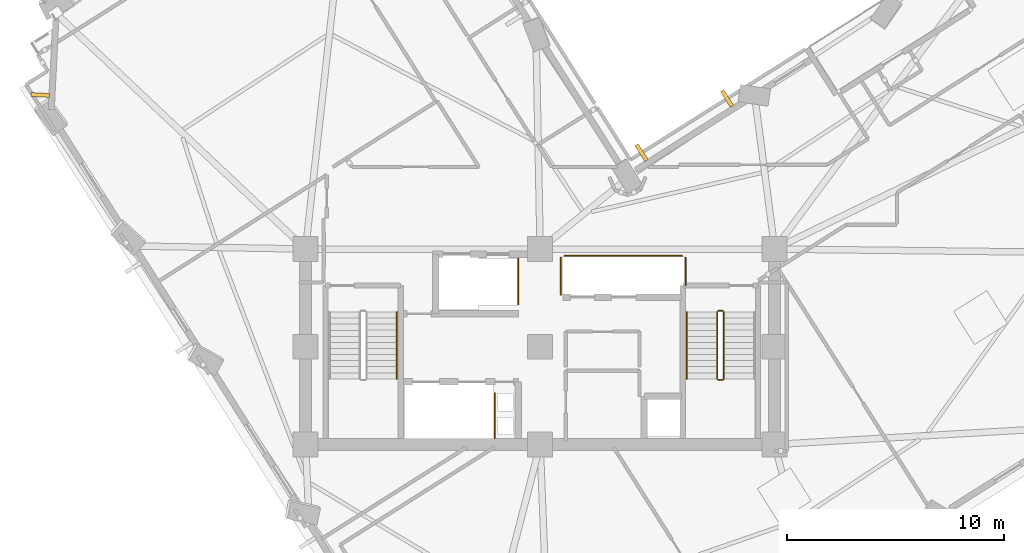
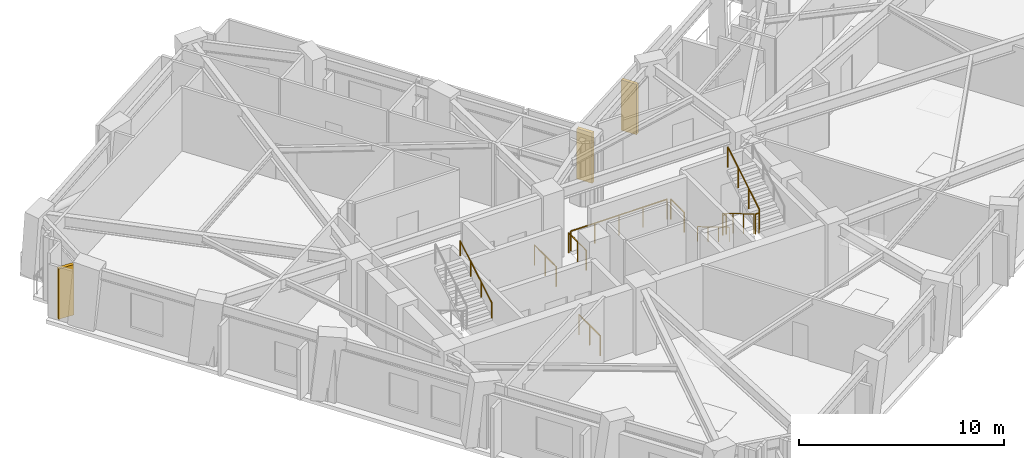
# One storey, part 11 of 14: 11 railings, 3 shading devices.
"""IFC4 building model written with IfcOpenShell, lengths in metres."""

from ifc_helpers import new_model, si_unit, direction, frame, origin, origin_2d, place, context, subcontext, project, spatial, rectangle, circle, extrude, material, type_object, element, save


model = new_model("IFC4")

# Units and contexts
model_context = context("Model", 3, precision=1e-05, world=origin(), true_north=direction((0.0, 1.0)))
body_context = subcontext(model_context, "Body", "Model", "MODEL_VIEW")
ifc_project = project(units=[si_unit("LENGTHUNIT", "METRE"), si_unit("AREAUNIT", "SQUARE_METRE"), si_unit("VOLUMEUNIT", "CUBIC_METRE"), si_unit("PLANEANGLEUNIT", "RADIAN"), si_unit("MASSUNIT", "GRAM", prefix="KILO")], contexts=[model_context])

# Site, building, storey
site_placement = place(None, origin())
site = spatial("IfcSite", under=ifc_project, at=site_placement, CompositionType="ELEMENT")
building_placement = place(site_placement, origin())
building = spatial("IfcBuilding", under=site, at=building_placement, Name="Gaonmaruhae Medical Tower", CompositionType="ELEMENT")
storey_placement = place(building_placement, frame((0.0, 0.0, 161.800048828125)))
storey = spatial("IfcBuildingStorey", under=building, at=storey_placement, Name="L38", CompositionType="ELEMENT", Elevation=161.800048828125)

# Railings
ifc_material_1 = material(Name="Stainless steel 304 handrail", Category="steel")
railing_type_1 = type_object("IfcRailingType", Name="HR-092 Continuous Stainless Steel Stair Handrail", PredefinedType="HANDRAIL", material=ifc_material_1)
railing_1_placement = place(storey_placement, frame((18.199951171875, 10.820068359375, 2.16650390625)))
element("IfcRailing", 1, at=railing_1_placement, inside=storey, type_object=railing_type_1, Name="L38 ST-01 stair handrail 2", PredefinedType="HANDRAIL", context=body_context, shape_type="SweptSolid", body=[
    extrude(circle(Radius=0.02392578125, at=origin_2d()), frame((0.0, 0.0, 0.8759765625), z_axis=(0.0, 0.859260807169, 0.511537745687), x_axis=(-1.0, 0.0, 0.0)), (0.0, 0.0, 1.0), 3.584228515625),
    extrude(circle(Radius=0.02099609375, at=origin_2d()), origin(), (0.0, 0.0, 1.0), 0.851806640625),
    extrude(circle(Radius=0.02099609375, at=origin_2d()), frame((0.0, 1.026611328125, 0.611083984375)), (0.0, 0.0, 1.0), 0.851806640625),
    extrude(circle(Radius=0.02099609375, at=origin_2d()), frame((0.0, 2.05322265625, 1.222412109375)), (0.0, 0.0, 1.0), 0.851806640625),
    extrude(circle(Radius=0.02099609375, at=origin_2d()), frame((0.0, 3.079833984375, 1.83349609375)), (0.0, 0.0, 1.0), 0.851806640625),
])
railing_2_placement = place(storey_placement, frame((31.550048828125, 13.89990234375, 0.16650390625)))
element("IfcRailing", 2, at=railing_2_placement, inside=storey, type_object=railing_type_1, Name="L38 ST-02 stair handrail 1", PredefinedType="HANDRAIL", context=body_context, shape_type="SweptSolid", body=[
    extrude(circle(Radius=0.02392578125, at=origin_2d()), frame((0.0, 0.0, 0.8759765625), z_axis=(0.0, -0.859260807169, 0.511537745687), x_axis=(1.0, 0.0, 0.0)), (0.0, 0.0, 1.0), 3.584228515625),
    extrude(circle(Radius=0.02099609375, at=origin_2d()), origin(), (0.0, 0.0, 1.0), 0.851806640625),
    extrude(circle(Radius=0.02099609375, at=origin_2d()), frame((0.0, -1.026611328125, 0.611083984375)), (0.0, 0.0, 1.0), 0.851806640625),
    extrude(circle(Radius=0.02099609375, at=origin_2d()), frame((0.0, -2.05322265625, 1.222412109375)), (0.0, 0.0, 1.0), 0.851806640625),
    extrude(circle(Radius=0.02099609375, at=origin_2d()), frame((0.0, -3.079833984375, 1.83349609375)), (0.0, 0.0, 1.0), 0.851806640625),
])

# Shading devices
ifc_material_2 = material(Name="Pigmented coral precast concrete C45/55", Category="concrete")
shading_device_type = type_object("IfcShadingDeviceType", Name="SD-FIN1 Tower Vertical Coral Precast Shading Fin", PredefinedType="USERDEFINED", material=ifc_material_2)
for number, where, z_axis, x_axis, name in (
    (3, (29.469970703125, 21.23681640625, 0.08251953125), (0.0, 0.0, 1.0), (0.845271159301, 0.534337596706, 0.0), "L38 Vertical Coral Precast Shading Fin EN03"),
    (4, (33.408935546875, 23.726806640625, 0.08251953125), (0.0, 0.0, 1.0), (0.845271159301, 0.534337596706, 0.0), "L38 Vertical Coral Precast Shading Fin EN03B"),
    (5, (1.7763671875, 23.8935546875, 0.08251953125), (0.0, 0.0, 1.0), (0.050906694514, 0.998703413659, 0.0), "L38 Vertical Coral Precast Shading Fin N03"),
):
    element("IfcShadingDevice", number, at=place(storey_placement, frame(where, z_axis=z_axis, x_axis=x_axis)), inside=storey, type_object=shading_device_type, Name=name, ObjectType="FIN", PredefinedType="USERDEFINED", context=body_context, shape_type="SweptSolid", body=[
        extrude(rectangle(XDim=0.179931640625, YDim=0.85009765625, at=origin_2d()), origin(), (0.0, 0.0, 1.0), 3.0),
    ])

# Railings
ifc_material_3 = material(Name="Stainless steel 304 balustrade", Category="steel")
railing_type_2 = type_object("IfcRailingType", Name="SG-112 Stair Well & Ramp Void Safety Balustrade", PredefinedType="BALUSTRADE", material=ifc_material_3)
railing_3_placement = place(storey_placement, frame((32.949951171875, 13.89990234375, 0.16650390625)))
element("IfcRailing", 6, at=railing_3_placement, inside=storey, type_object=railing_type_2, Name="L38 ST-02 stair guard 1", PredefinedType="BALUSTRADE", context=body_context, shape_type="SweptSolid", body=[
    extrude(circle(Radius=0.02392578125, at=origin_2d()), frame((0.0, 0.0, 1.17578125), z_axis=(0.0, -0.859260807169, 0.511537745687), x_axis=(1.0, 0.0, 0.0)), (0.0, 0.0, 1.0), 3.584228515625),
    extrude(circle(Radius=0.02099609375, at=origin_2d()), origin(), (0.0, 0.0, 1.0), 1.15185546875),
    extrude(circle(Radius=0.02099609375, at=origin_2d()), frame((0.0, -1.026611328125, 0.611083984375)), (0.0, 0.0, 1.0), 1.15185546875),
    extrude(circle(Radius=0.02099609375, at=origin_2d()), frame((0.0, -2.05322265625, 1.222412109375)), (0.0, 0.0, 1.0), 1.15185546875),
    extrude(circle(Radius=0.02099609375, at=origin_2d()), frame((0.0, -3.079833984375, 1.83349609375)), (0.0, 0.0, 1.0), 1.15185546875),
])
railing_4_placement = place(storey_placement, frame((33.0, 10.77001953125, 2.0)))
element("IfcRailing", 7, at=railing_4_placement, inside=storey, type_object=railing_type_2, Name="L38 ST-02 stair guard 2", PredefinedType="BALUSTRADE", context=body_context, shape_type="SweptSolid", body=[
    extrude(circle(Radius=0.02392578125, at=origin_2d()), frame((0.0, 0.0, 1.17578125), z_axis=(1.0, 0.0, 0.0), x_axis=(0.0, 1.0, 0.0)), (0.0, 0.0, 1.0), 0.199951171875),
    extrude(circle(Radius=0.02099609375, at=origin_2d()), origin(), (0.0, 0.0, 1.0), 1.15185546875),
    extrude(circle(Radius=0.02099609375, at=origin_2d()), frame((0.199951171875, 0.0, 0.0)), (0.0, 0.0, 1.0), 1.15185546875),
])
railing_5_placement = place(storey_placement, frame((33.25, 10.820068359375, 2.16650390625)))
element("IfcRailing", 8, at=railing_5_placement, inside=storey, type_object=railing_type_2, Name="L38 ST-02 stair guard 3", PredefinedType="BALUSTRADE", context=body_context, shape_type="SweptSolid", body=[
    extrude(circle(Radius=0.02392578125, at=origin_2d()), frame((0.0, 0.0, 1.17578125), z_axis=(0.0, 0.859260807169, 0.511537745687), x_axis=(-1.0, 0.0, 0.0)), (0.0, 0.0, 1.0), 3.584228515625),
    extrude(circle(Radius=0.02099609375, at=origin_2d()), origin(), (0.0, 0.0, 1.0), 1.15185546875),
    extrude(circle(Radius=0.02099609375, at=origin_2d()), frame((0.0, 1.026611328125, 0.611083984375)), (0.0, 0.0, 1.0), 1.15185546875),
    extrude(circle(Radius=0.02099609375, at=origin_2d()), frame((0.0, 2.05322265625, 1.222412109375)), (0.0, 0.0, 1.0), 1.15185546875),
    extrude(circle(Radius=0.02099609375, at=origin_2d()), frame((0.0, 3.079833984375, 1.83349609375)), (0.0, 0.0, 1.0), 1.15185546875),
])
railing_6_placement = place(storey_placement, frame((33.0, 13.949951171875, 0.0)))
element("IfcRailing", 9, at=railing_6_placement, inside=storey, type_object=railing_type_2, Name="L38 ST-02 stair guard 4", PredefinedType="BALUSTRADE", context=body_context, shape_type="SweptSolid", body=[
    extrude(circle(Radius=0.02392578125, at=origin_2d()), frame((0.0, 0.0, 1.17578125), z_axis=(1.0, 0.0, 0.0), x_axis=(0.0, 1.0, 0.0)), (0.0, 0.0, 1.0), 0.199951171875),
    extrude(circle(Radius=0.02099609375, at=origin_2d()), origin(), (0.0, 0.0, 1.0), 1.15185546875),
    extrude(circle(Radius=0.02099609375, at=origin_2d()), frame((0.199951171875, 0.0, 0.0)), (0.0, 0.0, 1.0), 1.15185546875),
])
railing_7_placement = place(storey_placement, frame((22.719970703125, 10.159912109375, 0.0)))
element("IfcRailing", 10, at=railing_7_placement, inside=storey, type_object=railing_type_2, Name="L38 Shaft Edge Safety Guard 10", PredefinedType="BALUSTRADE", context=body_context, shape_type="SweptSolid", body=[
    extrude(circle(Radius=0.02392578125, at=origin_2d()), frame((0.0, 0.0, 1.17578125), z_axis=(0.0, -1.0, 0.0), x_axis=(1.0, 0.0, 0.0)), (0.0, 0.0, 1.0), 2.06494140625),
    extrude(circle(Radius=0.02099609375, at=origin_2d()), origin(), (0.0, 0.0, 1.0), 1.15185546875),
    extrude(circle(Radius=0.02099609375, at=origin_2d()), frame((0.0, -1.032470703125, 0.0)), (0.0, 0.0, 1.0), 1.15185546875),
    extrude(circle(Radius=0.02099609375, at=origin_2d()), frame((0.0, -2.06494140625, 0.0)), (0.0, 0.0, 1.0), 1.15185546875),
])
railing_8_placement = place(storey_placement, frame((23.794921875, 16.35498046875, 0.0)))
element("IfcRailing", 11, at=railing_8_placement, inside=storey, type_object=railing_type_2, Name="L38 Shaft Edge Safety Guard 11", PredefinedType="BALUSTRADE", context=body_context, shape_type="SweptSolid", body=[
    extrude(circle(Radius=0.02392578125, at=origin_2d()), frame((0.0, 0.0, 1.17578125), z_axis=(0.0, -1.0, 0.0), x_axis=(1.0, 0.0, 0.0)), (0.0, 0.0, 1.0), 2.10986328125),
    extrude(circle(Radius=0.02099609375, at=origin_2d()), origin(), (0.0, 0.0, 1.0), 1.15185546875),
    extrude(circle(Radius=0.02099609375, at=origin_2d()), frame((0.0, -1.054931640625, 0.0)), (0.0, 0.0, 1.0), 1.15185546875),
    extrude(circle(Radius=0.02099609375, at=origin_2d()), frame((0.0, -2.10986328125, 0.0)), (0.0, 0.0, 1.0), 1.15185546875),
])
railing_9_placement = place(storey_placement, frame((31.4951171875, 16.405029296875, 0.0)))
element("IfcRailing", 12, at=railing_9_placement, inside=storey, type_object=railing_type_2, Name="L38 Shaft Edge Safety Guard 12", PredefinedType="BALUSTRADE", context=body_context, shape_type="SweptSolid", body=[
    extrude(circle(Radius=0.02392578125, at=origin_2d()), frame((0.0, 0.0, 1.17578125), z_axis=(0.0, -1.0, 0.0), x_axis=(1.0, 0.0, 0.0)), (0.0, 0.0, 1.0), 1.284912109375),
    extrude(circle(Radius=0.02099609375, at=origin_2d()), origin(), (0.0, 0.0, 1.0), 1.15185546875),
    extrude(circle(Radius=0.02099609375, at=origin_2d()), frame((0.0, -1.284912109375, 0.0)), (0.0, 0.0, 1.0), 1.15185546875),
])
railing_10_placement = place(storey_placement, frame((25.7548828125, 14.695068359375, 0.0)))
element("IfcRailing", 13, at=railing_10_placement, inside=storey, type_object=railing_type_2, Name="L38 Shaft Edge Safety Guard 13", PredefinedType="BALUSTRADE", context=body_context, shape_type="SweptSolid", body=[
    extrude(circle(Radius=0.02392578125, at=origin_2d()), frame((0.0, 0.0, 1.17578125), z_axis=(0.0, 1.0, 0.0), x_axis=(-1.0, 0.0, 0.0)), (0.0, 0.0, 1.0), 1.7099609375),
    extrude(circle(Radius=0.02099609375, at=origin_2d()), origin(), (0.0, 0.0, 1.0), 1.15185546875),
    extrude(circle(Radius=0.02099609375, at=origin_2d()), frame((0.0, 0.85498046875, 0.0)), (0.0, 0.0, 1.0), 1.15185546875),
    extrude(circle(Radius=0.02099609375, at=origin_2d()), frame((0.0, 1.7099609375, 0.0)), (0.0, 0.0, 1.0), 1.15185546875),
])
railing_11_placement = place(storey_placement, frame((25.919921875, 16.4951171875, 0.0)))
element("IfcRailing", 14, at=railing_11_placement, inside=storey, type_object=railing_type_2, Name="L38 Shaft Edge Safety Guard 14", PredefinedType="BALUSTRADE", context=body_context, shape_type="SweptSolid", body=[
    extrude(circle(Radius=0.02392578125, at=origin_2d()), frame((0.0, 0.0, 1.17578125), z_axis=(1.0, 0.0, 0.0), x_axis=(0.0, 1.0, 0.0)), (0.0, 0.0, 1.0), 5.41015625),
    extrude(circle(Radius=0.02099609375, at=origin_2d()), origin(), (0.0, 0.0, 1.0), 1.15185546875),
    extrude(circle(Radius=0.02099609375, at=origin_2d()), frame((1.3525390625, 0.0, 0.0)), (0.0, 0.0, 1.0), 1.15185546875),
    extrude(circle(Radius=0.02099609375, at=origin_2d()), frame((2.705078125, 0.0, 0.0)), (0.0, 0.0, 1.0), 1.15185546875),
    extrude(circle(Radius=0.02099609375, at=origin_2d()), frame((4.0576171875, 0.0, 0.0)), (0.0, 0.0, 1.0), 1.15185546875),
    extrude(circle(Radius=0.02099609375, at=origin_2d()), frame((5.41015625, 0.0, 0.0)), (0.0, 0.0, 1.0), 1.15185546875),
])

save(model, "model.ifc")
